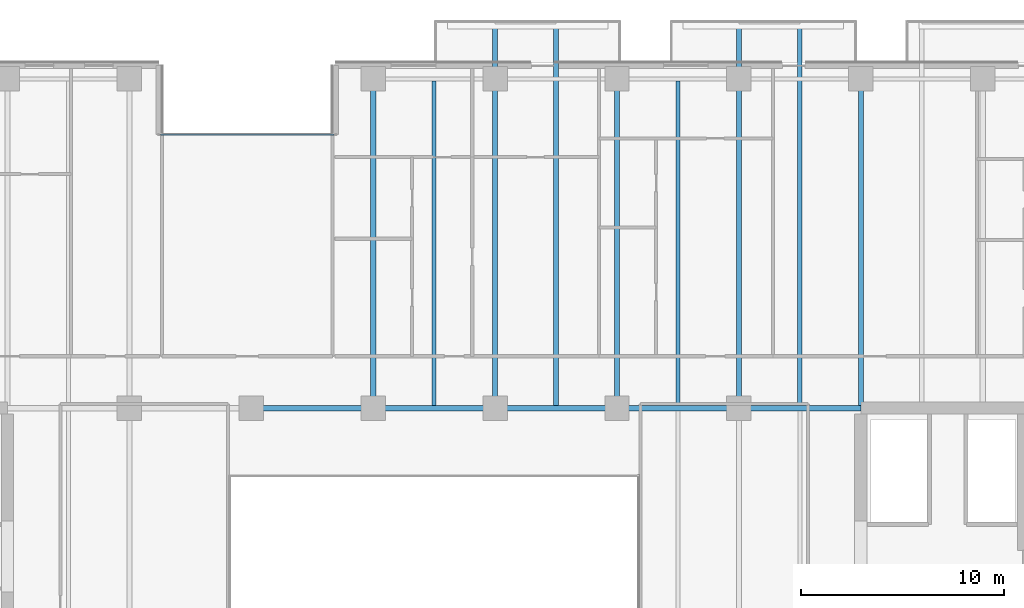
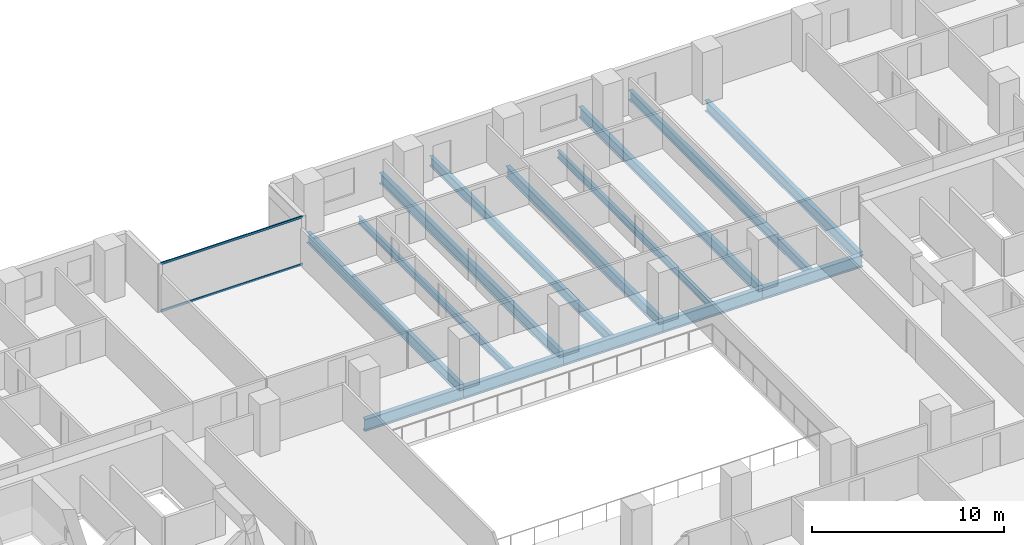
# One storey, part 10 of 33: 14 beams, 2 members, 1 element without a shape of its own.
"""IFC4 building model written with IfcOpenShell, lengths in metres."""

from ifc_helpers import new_model, si_unit, direction, frame, origin, origin_2d, place, context, subcontext, project, spatial, hollow_rectangle, i_section, extrude, material, layer, layer_set, material_profile, profile_set, type_object, element, aggregate, save


model = new_model("IFC4")

# Units and contexts
model_context = context("Model", 3, precision=1e-05, world=origin(), true_north=direction((0.0, 1.0)))
body_context = subcontext(model_context, "Body", "Model", "MODEL_VIEW")
ifc_project = project(units=[si_unit("LENGTHUNIT", "METRE"), si_unit("AREAUNIT", "SQUARE_METRE"), si_unit("VOLUMEUNIT", "CUBIC_METRE"), si_unit("PLANEANGLEUNIT", "RADIAN"), si_unit("MASSUNIT", "GRAM", prefix="KILO")], contexts=[model_context])

# Site, building, storey
site_placement = place(None, origin())
site = spatial("IfcSite", under=ifc_project, at=site_placement, CompositionType="ELEMENT")
building_placement = place(site_placement, origin())
building = spatial("IfcBuilding", under=site, at=building_placement, Name="Tanjung Sevakor Pilgrim Tower", CompositionType="ELEMENT")
storey_placement = place(building_placement, frame((0.0, 0.0, 32.340087890625)))
storey = spatial("IfcBuildingStorey", under=building, at=storey_placement, Name="L08", CompositionType="ELEMENT", Elevation=32.340087890625)

# Beams
ifc_material_1 = material(Name="Steel S355J2", Category="steel")
ifc_material_profile_1 = material_profile(ifc_material_1, i_section(OverallWidth=0.26806640625, OverallDepth=0.769775390625, WebThickness=0.015625, FlangeThickness=0.025390625, FilletRadius=0.0166015625, at=origin_2d()))
ifc_profile_set_1 = profile_set([ifc_material_profile_1], Name="Steel S355J2")
beam_type_1 = type_object("IfcBeamType", Name="BM-B-G1-UB_762x267x197", PredefinedType="BEAM", material=ifc_profile_set_1)
for number, where, z_axis, x_axis, name in (
    (1, (48.0, 42.60009765625, -0.60498046875), (1.0, 0.0, 0.0), (0.0, 1.0, 0.0), "L08 Primary Floor Girder MAIN Y426-04"),
    (2, (54.0, 42.60009765625, -0.60498046875), (1.0, 0.0, 0.0), (0.0, 1.0, 0.0), "L08 Primary Floor Girder MAIN Y426-05"),
    (3, (60.0, 42.60009765625, -0.60498046875), (1.0, 0.0, 0.0), (0.0, 1.0, 0.0), "L08 Primary Floor Girder MAIN Y426-06"),
    (4, (66.0, 42.60009765625, -0.60498046875), (1.0, 0.0, 0.0), (0.0, 1.0, 0.0), "L08 Primary Floor Girder MAIN Y426-07"),
    (5, (72.0, 42.60009765625, -0.60498046875), (1.0, 0.0, 0.0), (0.0, 1.0, 0.0), "L08 Primary Floor Girder MAIN Y426-08"),
):
    element("IfcBeam", number, at=place(storey_placement, frame(where, z_axis=z_axis, x_axis=x_axis)), inside=storey, type_object=beam_type_1, Name=name, PredefinedType="BEAM", context=body_context, shape_type="SweptSolid", body=[
        extrude(i_section(OverallWidth=0.26806640625, OverallDepth=0.769775390625, WebThickness=0.015625, FlangeThickness=0.025390625, FilletRadius=0.0166015625, at=origin_2d()), origin(), (0.0, 0.0, 1.0), 6.0),
    ])
ifc_material_2 = material(Name="Steel S355J2", Category="steel")
ifc_material_profile_2 = material_profile(ifc_material_2, i_section(OverallWidth=0.25439453125, OverallDepth=0.6875, WebThickness=0.01318359375, FlangeThickness=0.02099609375, FilletRadius=0.01513671875, at=origin_2d()))
ifc_profile_set_2 = profile_set([ifc_material_profile_2], Name="Steel S355J2")
beam_type_2 = type_object("IfcBeamType", Name="BM-B-G2-UB_686x254x152", PredefinedType="BEAM", material=ifc_profile_set_2)
beam_1_placement = place(storey_placement, frame((54.0, 42.60009765625, -0.56396484375), z_axis=(0.0, 1.0, 0.0), x_axis=(-1.0, 0.0, 0.0)))
element("IfcBeam", 6, at=beam_1_placement, inside=storey, type_object=beam_type_2, Name="L08 MAIN Girder 014", PredefinedType="BEAM", context=body_context, shape_type="SweptSolid", body=[
    extrude(i_section(OverallWidth=0.25439453125, OverallDepth=0.6875, WebThickness=0.01318359375, FlangeThickness=0.02099609375, FilletRadius=0.01513671875, at=origin_2d()), origin(), (0.0, 0.0, 1.0), 16.199951171875),
])
beam_2_placement = place(storey_placement, frame((60.0, 42.60009765625, -0.56396484375), z_axis=(0.0, 1.0, 0.0), x_axis=(-1.0, 0.0, 0.0)))
element("IfcBeam", 7, at=beam_2_placement, inside=storey, type_object=beam_type_2, Name="L08 Balcony Cantilever Beam MAIN-N2-1", PredefinedType="BEAM", context=body_context, shape_type="SweptSolid", body=[
    extrude(i_section(OverallWidth=0.25439453125, OverallDepth=0.6875, WebThickness=0.01318359375, FlangeThickness=0.02099609375, FilletRadius=0.01513671875, at=origin_2d()), origin(), (0.0, 0.0, 1.0), 18.97998046875),
])
beam_3_placement = place(storey_placement, frame((66.0, 42.60009765625, -0.56396484375), z_axis=(0.0, 1.0, 0.0), x_axis=(-1.0, 0.0, 0.0)))
element("IfcBeam", 8, at=beam_3_placement, inside=storey, type_object=beam_type_2, Name="L08 MAIN Girder 018", PredefinedType="BEAM", context=body_context, shape_type="SweptSolid", body=[
    extrude(i_section(OverallWidth=0.25439453125, OverallDepth=0.6875, WebThickness=0.01318359375, FlangeThickness=0.02099609375, FilletRadius=0.01513671875, at=origin_2d()), origin(), (0.0, 0.0, 1.0), 16.199951171875),
])
beam_4_placement = place(storey_placement, frame((72.0, 42.60009765625, -0.56396484375), z_axis=(0.0, 1.0, 0.0), x_axis=(-1.0, 0.0, 0.0)))
element("IfcBeam", 9, at=beam_4_placement, inside=storey, type_object=beam_type_2, Name="L08 Balcony Cantilever Beam MAIN-N3-1", PredefinedType="BEAM", context=body_context, shape_type="SweptSolid", body=[
    extrude(i_section(OverallWidth=0.25439453125, OverallDepth=0.6875, WebThickness=0.01318359375, FlangeThickness=0.02099609375, FilletRadius=0.01513671875, at=origin_2d()), origin(), (0.0, 0.0, 1.0), 18.97998046875),
])
beam_5_placement = place(storey_placement, frame((78.0, 42.73388671875, -0.56396484375), z_axis=(0.0, 1.0, 0.0), x_axis=(-1.0, 0.0, 0.0)))
element("IfcBeam", 10, at=beam_5_placement, inside=storey, type_object=beam_type_2, Name="L08 MAIN Girder 025", PredefinedType="BEAM", context=body_context, shape_type="SweptSolid", body=[
    extrude(i_section(OverallWidth=0.25439453125, OverallDepth=0.6875, WebThickness=0.01318359375, FlangeThickness=0.02099609375, FilletRadius=0.01513671875, at=origin_2d()), origin(), (0.0, 0.0, 1.0), 16.066162109375),
])
ifc_material_3 = material(Name="Steel S355J2", Category="steel")
ifc_material_profile_3 = material_profile(ifc_material_3, i_section(OverallWidth=0.22900390625, OverallDepth=0.6123046875, WebThickness=0.011962890625, FlangeThickness=0.01953125, FilletRadius=0.0126953125, at=origin_2d()))
ifc_profile_set_3 = profile_set([ifc_material_profile_3], Name="Steel S355J2")
beam_type_3 = type_object("IfcBeamType", Name="BM-B-G4-UB_610x229x125", PredefinedType="BEAM", material=ifc_profile_set_3)
for number, where, z_axis, x_axis, name in (
    (11, (63.0, 42.73388671875, -0.526123046875), (0.0, 1.0, 0.0), (-1.0, 0.0, 0.0), "L08 Balcony Cantilever Beam MAIN-N2-2"),
    (12, (75.0, 42.73388671875, -0.526123046875), (0.0, 1.0, 0.0), (-1.0, 0.0, 0.0), "L08 Balcony Cantilever Beam MAIN-N3-2"),
):
    element("IfcBeam", number, at=place(storey_placement, frame(where, z_axis=z_axis, x_axis=x_axis)), inside=storey, type_object=beam_type_3, Name=name, PredefinedType="BEAM", context=body_context, shape_type="SweptSolid", body=[
        extrude(i_section(OverallWidth=0.22900390625, OverallDepth=0.6123046875, WebThickness=0.011962890625, FlangeThickness=0.01953125, FilletRadius=0.0126953125, at=origin_2d()), origin(), (0.0, 0.0, 1.0), 18.84619140625),
    ])
ifc_material_4 = material(Name="Steel S355J2", Category="steel")
ifc_material_profile_4 = material_profile(ifc_material_4, i_section(OverallWidth=0.19140625, OverallDepth=0.4599609375, WebThickness=0.010009765625, FlangeThickness=0.01611328125, FilletRadius=0.01025390625, at=origin_2d()))
ifc_profile_set_4 = profile_set([ifc_material_profile_4], Name="Steel S355J2")
beam_type_4 = type_object("IfcBeamType", Name="BM-B-J2-UB_457x191x82", PredefinedType="JOIST", material=ifc_profile_set_4)
for number, where, z_axis, x_axis, name in (
    (13, (57.0, 42.73388671875, -0.4501953125), (0.0, 1.0, 0.0), (-1.0, 0.0, 0.0), "L08 MAIN Joist 016"),
    (14, (69.0, 42.73388671875, -0.4501953125), (0.0, 1.0, 0.0), (-1.0, 0.0, 0.0), "L08 MAIN Joist 021"),
):
    element("IfcBeam", number, at=place(storey_placement, frame(where, z_axis=z_axis, x_axis=x_axis)), inside=storey, type_object=beam_type_4, Name=name, PredefinedType="JOIST", context=body_context, shape_type="SweptSolid", body=[
        extrude(i_section(OverallWidth=0.19140625, OverallDepth=0.4599609375, WebThickness=0.010009765625, FlangeThickness=0.01611328125, FilletRadius=0.01025390625, at=origin_2d()), origin(), (0.0, 0.0, 1.0), 15.966064453125),
    ])

# Curtain wall, members
ifc_material_5 = material(Name="Aluminium 6063-T6 and Low-E Glass", Category="aluminium")
ifc_layer = layer(ifc_material_5, 0.179931640625)
ifc_layer_set = layer_set([ifc_layer], Name="CW-SYS-CLEFT")
curtain_wall_type = type_object("IfcCurtainWallType", Name="CW-SYS-CLEFT", PredefinedType="NOTDEFINED", material=ifc_layer_set)
curtain_wall_placement = place(storey_placement, origin())
curtain_wall = element("IfcCurtainWall", 15, at=curtain_wall_placement, inside=storey, type_object=curtain_wall_type, Name="L08 Curtain Wall CW-CLF-L08-10", PredefinedType="NOTDEFINED")
ifc_material_6 = material(Name="Aluminium 6063-T6", Category="aluminium")
ifc_material_profile_5 = material_profile(ifc_material_6, hollow_rectangle(XDim=0.06494140625, YDim=0.139892578125, WallThickness=0.00390625, at=origin_2d()))
ifc_profile_set_5 = profile_set([ifc_material_profile_5], Name="Aluminium 6063-T6")
member_type = type_object("IfcMemberType", Name="TYPE-CWT-1", PredefinedType="USERDEFINED", material=ifc_profile_set_5)
member_1_placement = place(storey_placement, frame((52.06494140625, 56.06005859375, 0.032470703125), z_axis=(-1.0, 0.0, 0.0), x_axis=(0.0, -1.0, 0.0)))
member_1 = element("IfcMember", 16, at=member_1_placement, type_object=member_type, Name="CW-CLF transom 1.1", ObjectType="TRANSOM", PredefinedType="USERDEFINED", context=body_context, shape_type="SweptSolid", body=[
    extrude(hollow_rectangle(XDim=0.06494140625, YDim=0.139892578125, WallThickness=0.00390625, at=origin_2d()), origin(), (0.0, 0.0, 1.0), 8.530029296875),
])
member_2_placement = place(storey_placement, frame((52.06494140625, 56.06005859375, 3.04736328125), z_axis=(-1.0, 0.0, 0.0), x_axis=(0.0, -1.0, 0.0)))
member_2 = element("IfcMember", 17, at=member_2_placement, type_object=member_type, Name="CW-CLF transom 1.2", ObjectType="TRANSOM", PredefinedType="USERDEFINED", context=body_context, shape_type="SweptSolid", body=[
    extrude(hollow_rectangle(XDim=0.06494140625, YDim=0.139892578125, WallThickness=0.00390625, at=origin_2d()), origin(), (0.0, 0.0, 1.0), 8.530029296875),
])
aggregate(curtain_wall, [member_1, member_2])

save(model, "model.ifc")
